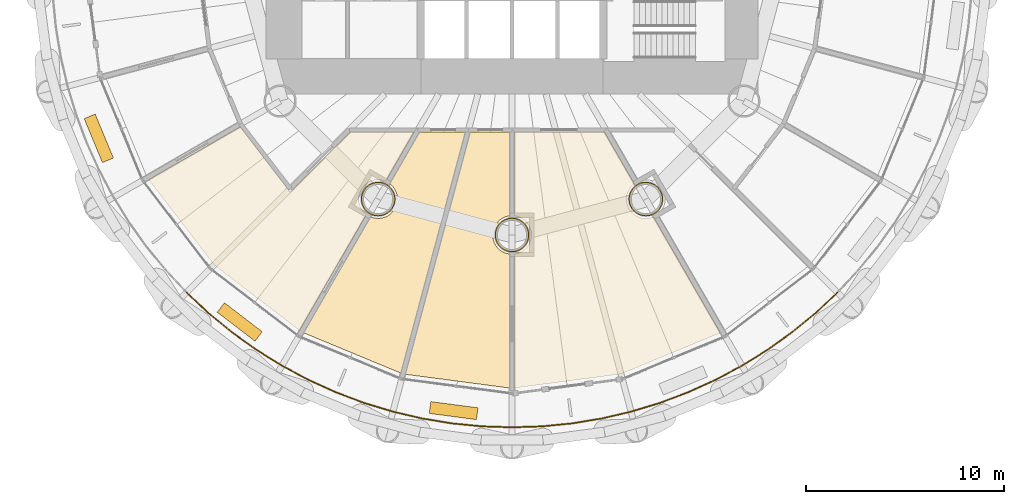
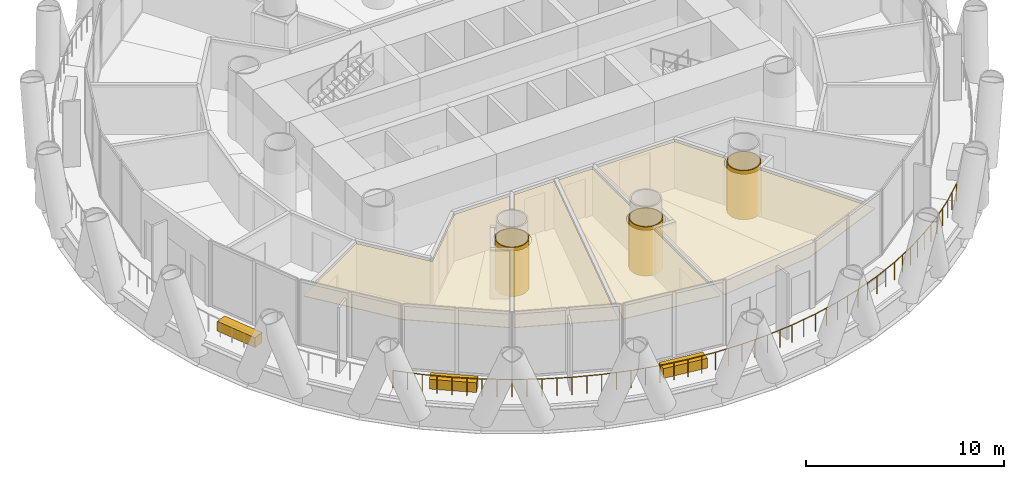
# One storey, part 13 of 16: 10 coverings, 1 railing.
"""IFC4 building model written with IfcOpenShell, lengths in metres."""

from ifc_helpers import new_model, si_unit, direction, frame, origin, origin_2d, place, context, subcontext, project, spatial, polyline, rectangle, circle, outline, extrude, material, layer, layer_set, type_object, element, save


model = new_model("IFC4")

# Units and contexts
model_context = context("Model", 3, precision=1e-05, world=origin(), true_north=direction((0.0, 1.0)))
body_context = subcontext(model_context, "Body", "Model", "MODEL_VIEW")
ifc_project = project(units=[si_unit("LENGTHUNIT", "METRE"), si_unit("AREAUNIT", "SQUARE_METRE"), si_unit("VOLUMEUNIT", "CUBIC_METRE"), si_unit("PLANEANGLEUNIT", "RADIAN"), si_unit("MASSUNIT", "GRAM", prefix="KILO")], contexts=[model_context])

# Site, building, storey
site_placement = place(None, origin())
site = spatial("IfcSite", under=ifc_project, at=site_placement, CompositionType="ELEMENT")
building_placement = place(site_placement, origin())
building = spatial("IfcBuilding", under=site, at=building_placement, Name="Qaws Media Tower", CompositionType="ELEMENT")
storey_placement = place(building_placement, frame((0.0, 0.0, 38.60009765625)))
storey = spatial("IfcBuildingStorey", under=building, at=storey_placement, Name="L07", CompositionType="ELEMENT", Elevation=38.60009765625)

# Coverings
ifc_material_1 = material(Name="40 perforated acoustic panels with mineral wool backing, suspended", Category="mineral fibre")
ifc_layer_1 = layer(ifc_material_1, 0.0400390625)
ifc_layer_set_1 = layer_set([ifc_layer_1], Name="Acoustic panel ceiling 40")
covering_type_1 = type_object("IfcCoveringType", Name="Acoustic panel ceiling 40", PredefinedType="CEILING", material=ifc_layer_set_1)
covering_1_placement = place(storey_placement, frame((0.0, 0.0, 2.849853515625)))
element("IfcCovering", 1, at=covering_1_placement, inside=storey, type_object=covering_type_1, Name="CL3 ceiling L07-07 Radio studio", PredefinedType="CEILING", context=body_context, shape_type="SweptSolid", body=[
    extrude(outline(polyline([(48.816650390625, 38.657470703125), (51.8466796875, 41.6875), (55.07080078125, 41.6875), (53.635498046875, 39.201171875), (53.622314453125, 39.20751953125), (53.501708984375, 39.24853515625), (53.376953125, 39.273193359375), (53.25, 39.28173828125), (53.123046875, 39.273193359375), (52.998291015625, 39.24853515625), (52.877685546875, 39.20751953125), (52.763427734375, 39.1513671875), (52.65771484375, 39.08056640625), (52.56201171875, 38.99658203125), (52.47802734375, 38.90087890625), (52.407470703125, 38.795166015625), (52.35107421875, 38.680908203125), (52.310302734375, 38.560546875), (52.285400390625, 38.435791015625), (52.277099609375, 38.30859375), (52.285400390625, 38.181640625), (52.310302734375, 38.056884765625), (52.35107421875, 37.936279296875), (52.407470703125, 37.822265625), (52.47802734375, 37.71630859375), (52.56201171875, 37.62060546875), (52.65771484375, 37.53662109375), (52.669921875, 37.528564453125), (49.29248046875, 31.6787109375), (44.984375, 34.984375), (41.6787109375, 39.29248046875), (46.28759765625, 41.953125), (48.816650390625, 38.657470703125)])), origin(), (0.0, 0.0, 1.0), 0.0400390625),
])
covering_2_placement = place(storey_placement, frame((0.0, 0.0, 2.849853515625)))
element("IfcCovering", 2, at=covering_2_placement, inside=storey, type_object=covering_type_1, Name="CL3 ceiling L07-08 Control room", PredefinedType="CEILING", context=body_context, shape_type="SweptSolid", body=[
    extrude(outline(polyline([(49.4873046875, 31.56640625), (52.864501953125, 37.416015625), (52.877685546875, 37.40966796875), (52.998291015625, 37.368896484375), (53.123046875, 37.343994140625), (53.25, 37.335693359375), (53.376953125, 37.343994140625), (53.501708984375, 37.368896484375), (53.622314453125, 37.40966796875), (53.736572265625, 37.466064453125), (53.84228515625, 37.53662109375), (53.93798828125, 37.62060546875), (54.02197265625, 37.71630859375), (54.092529296875, 37.822265625), (54.14892578125, 37.936279296875), (54.189697265625, 38.056884765625), (54.214599609375, 38.181640625), (54.222900390625, 38.30859375), (54.214599609375, 38.435791015625), (54.189697265625, 38.560546875), (54.14892578125, 38.680908203125), (54.092529296875, 38.795166015625), (54.02197265625, 38.90087890625), (53.93798828125, 38.99658203125), (53.84228515625, 39.08056640625), (53.830322265625, 39.088623046875), (55.330810546875, 41.6875), (57.65625, 41.6875), (54.399169921875, 29.53173828125), (49.4873046875, 31.56640625)])), origin(), (0.0, 0.0, 1.0), 0.0400390625),
])
covering_3_placement = place(storey_placement, frame((0.0, 0.0, 2.849853515625)))
element("IfcCovering", 3, at=covering_3_placement, inside=storey, type_object=covering_type_1, Name="CL3 ceiling L07-09 Control room", PredefinedType="CEILING", context=body_context, shape_type="SweptSolid", body=[
    extrude(outline(polyline([(54.616455078125, 29.473388671875), (57.88916015625, 41.6875), (59.887451171875, 41.6875), (59.887451171875, 37.465576171875), (59.873046875, 37.464599609375), (59.748291015625, 37.439697265625), (59.627685546875, 37.39892578125), (59.513427734375, 37.342529296875), (59.40771484375, 37.27197265625), (59.31201171875, 37.18798828125), (59.22802734375, 37.09228515625), (59.157470703125, 36.986572265625), (59.10107421875, 36.872314453125), (59.060302734375, 36.751708984375), (59.035400390625, 36.626953125), (59.027099609375, 36.5), (59.035400390625, 36.373046875), (59.060302734375, 36.248291015625), (59.10107421875, 36.127685546875), (59.157470703125, 36.013427734375), (59.22802734375, 35.90771484375), (59.31201171875, 35.81201171875), (59.40771484375, 35.72802734375), (59.513427734375, 35.657470703125), (59.627685546875, 35.60107421875), (59.748291015625, 35.560302734375), (59.873046875, 35.535400390625), (59.887451171875, 35.534423828125), (59.887451171875, 28.779541015625), (54.616455078125, 29.473388671875)])), origin(), (0.0, 0.0, 1.0), 0.0400390625),
])
covering_4_placement = place(storey_placement, frame((0.0, 0.0, 2.849853515625)))
element("IfcCovering", 4, at=covering_4_placement, inside=storey, type_object=covering_type_1, Name="CL3 ceiling L07-10 Radio studio", PredefinedType="CEILING", context=body_context, shape_type="SweptSolid", body=[
    extrude(outline(polyline([(65.49609375, 29.48828125), (60.112548828125, 28.779541015625), (60.112548828125, 35.534423828125), (60.126953125, 35.535400390625), (60.251708984375, 35.560302734375), (60.372314453125, 35.60107421875), (60.486572265625, 35.657470703125), (60.59228515625, 35.72802734375), (60.68798828125, 35.81201171875), (60.77197265625, 35.90771484375), (60.842529296875, 36.013427734375), (60.89892578125, 36.127685546875), (60.939697265625, 36.248291015625), (60.964599609375, 36.373046875), (60.972900390625, 36.5), (60.964599609375, 36.626953125), (60.939697265625, 36.751708984375), (60.89892578125, 36.872314453125), (60.842529296875, 36.986572265625), (60.77197265625, 37.09228515625), (60.68798828125, 37.18798828125), (60.59228515625, 37.27197265625), (60.486572265625, 37.342529296875), (60.372314453125, 37.39892578125), (60.251708984375, 37.439697265625), (60.126953125, 37.464599609375), (60.112548828125, 37.465576171875), (60.112548828125, 41.6875), (64.669189453125, 41.6875), (66.169677734375, 39.088623046875), (66.15771484375, 39.08056640625), (66.06201171875, 38.99658203125), (65.97802734375, 38.90087890625), (65.907470703125, 38.795166015625), (65.85107421875, 38.680908203125), (65.810302734375, 38.560546875), (65.785400390625, 38.435791015625), (65.777099609375, 38.30859375), (65.785400390625, 38.181640625), (65.810302734375, 38.056884765625), (65.85107421875, 37.936279296875), (65.907470703125, 37.822265625), (65.97802734375, 37.71630859375), (66.06201171875, 37.62060546875), (66.15771484375, 37.53662109375), (66.263427734375, 37.466064453125), (66.377685546875, 37.40966796875), (66.498291015625, 37.368896484375), (66.623046875, 37.343994140625), (66.75, 37.335693359375), (66.876953125, 37.343994140625), (67.001708984375, 37.368896484375), (67.122314453125, 37.40966796875), (67.135498046875, 37.416015625), (70.5126953125, 31.56640625), (65.49609375, 29.48828125)])), origin(), (0.0, 0.0, 1.0), 0.0400390625),
])

# Railing
ifc_material_2 = material(Name="Stainless steel and glass guard", Category="steel")
railing_type = type_object("IfcRailingType", Name="Balcony guard 1100", PredefinedType="GUARDRAIL", material=ifc_material_2)
railing_placement = place(storey_placement, frame((43.59521484375, 33.59521484375, 0.0)))
element("IfcRailing", 5, at=railing_placement, inside=storey, type_object=railing_type, Name="GR1 balcony guard L07-3", PredefinedType="GUARDRAIL", context=body_context, shape_type="SweptSolid", body=[
    extrude(circle(Radius=0.02392578125, at=origin_2d()), frame((0.0, 0.0, 1.076171875), z_axis=(0.729807969016, -0.683652198388, 0.0), x_axis=(0.683652198388, 0.729807969016, 0.0)), (0.0, 0.0, 1.0), 1.51806640625),
    extrude(circle(Radius=0.02392578125, at=origin_2d()), frame((1.10791015625, -1.037841796875, 1.076171875), z_axis=(0.773010685803, -0.634393000934, 0.0), x_axis=(0.634393000934, 0.773010685803, 0.0)), (0.0, 0.0, 1.0), 1.518310546875),
    extrude(circle(Radius=0.02392578125, at=origin_2d()), frame((2.281494140625, -2.0009765625, 1.076171875), z_axis=(0.812874227646, -0.582439258661, 0.0), x_axis=(0.582439258661, 0.812874227646, 0.0)), (0.0, 0.0, 1.0), 1.518310546875),
    extrude(circle(Radius=0.02392578125, at=origin_2d()), frame((3.515625, -2.88525390625, 1.076171875), z_axis=(0.849152775167, -0.528147294252, 0.0), x_axis=(0.528147294252, 0.849152775167, 0.0)), (0.0, 0.0, 1.0), 1.51806640625),
    extrude(circle(Radius=0.02392578125, at=origin_2d()), frame((4.8046875, -3.68701171875, 1.076171875), z_axis=(0.881974308934, -0.471297483953, 0.0), x_axis=(0.471297483953, 0.881974308934, 0.0)), (0.0, 0.0, 1.0), 1.518310546875),
    extrude(circle(Radius=0.02392578125, at=origin_2d()), frame((6.143798828125, -4.402587890625, 1.076171875), z_axis=(0.910823016553, -0.41279708395, 0.0), x_axis=(0.41279708395, 0.910823016553, 0.0)), (0.0, 0.0, 1.0), 1.518310546875),
    extrude(circle(Radius=0.02392578125, at=origin_2d()), frame((7.526611328125, -5.029296875, 1.076171875), z_axis=(0.935932055132, -0.352180618684, 0.0), x_axis=(0.352180618684, 0.935932055132, 0.0)), (0.0, 0.0, 1.0), 1.51806640625),
    extrude(circle(Radius=0.02392578125, at=origin_2d()), frame((8.947509765625, -5.56396484375, 1.076171875), z_axis=(0.956936438438, -0.290297524602, 0.0), x_axis=(0.290297524602, 0.956936438438, 0.0)), (0.0, 0.0, 1.0), 1.51806640625),
    extrude(circle(Radius=0.02392578125, at=origin_2d()), frame((10.400146484375, -6.004638671875, 1.076171875), z_axis=(0.973879153952, -0.227066936159, 0.0), x_axis=(0.227066936159, 0.973879153952, 0.0)), (0.0, 0.0, 1.0), 1.51806640625),
    extrude(circle(Radius=0.02392578125, at=origin_2d()), frame((11.878662109375, -6.349365234375, 1.076171875), z_axis=(0.986640555935, -0.162912287394, 0.0), x_axis=(0.162912287394, 0.986640555935, 0.0)), (0.0, 0.0, 1.0), 1.51806640625),
    extrude(circle(Radius=0.02392578125, at=origin_2d()), frame((13.37646484375, -6.5966796875, 1.076171875), z_axis=(0.995177874507, -0.098086686613, 0.0), x_axis=(0.098086686613, 0.995177874507, 0.0)), (0.0, 0.0, 1.0), 1.518310546875),
    extrude(circle(Radius=0.02392578125, at=origin_2d()), frame((14.887451171875, -6.74560546875, 1.076171875), z_axis=(0.999466993527, -0.032645502765, 0.0), x_axis=(0.032645502765, 0.999466993527, 0.0)), (0.0, 0.0, 1.0), 1.51806640625),
    extrude(circle(Radius=0.02392578125, at=origin_2d()), frame((16.40478515625, -6.795166015625, 1.076171875), z_axis=(0.999466993527, 0.032645502765, 0.0), x_axis=(-0.032645502765, 0.999466993527, 0.0)), (0.0, 0.0, 1.0), 1.51806640625),
    extrude(circle(Radius=0.02392578125, at=origin_2d()), frame((17.922119140625, -6.74560546875, 1.076171875), z_axis=(0.995177874507, 0.098086686613, 0.0), x_axis=(-0.098086686613, 0.995177874507, 0.0)), (0.0, 0.0, 1.0), 1.518310546875),
    extrude(circle(Radius=0.02392578125, at=origin_2d()), frame((19.43310546875, -6.5966796875, 1.076171875), z_axis=(0.986640555935, 0.162912287394, 0.0), x_axis=(-0.162912287394, 0.986640555935, 0.0)), (0.0, 0.0, 1.0), 1.51806640625),
    extrude(circle(Radius=0.02392578125, at=origin_2d()), frame((20.930908203125, -6.349365234375, 1.076171875), z_axis=(0.973879153952, 0.227066936159, 0.0), x_axis=(-0.227066936159, 0.973879153952, 0.0)), (0.0, 0.0, 1.0), 1.51806640625),
    extrude(circle(Radius=0.02392578125, at=origin_2d()), frame((22.409423828125, -6.004638671875, 1.076171875), z_axis=(0.956936438438, 0.290297524602, 0.0), x_axis=(-0.290297524602, 0.956936438438, 0.0)), (0.0, 0.0, 1.0), 1.51806640625),
    extrude(circle(Radius=0.02392578125, at=origin_2d()), frame((23.862060546875, -5.56396484375, 1.076171875), z_axis=(0.935932055132, 0.352180618684, 0.0), x_axis=(-0.352180618684, 0.935932055132, 0.0)), (0.0, 0.0, 1.0), 1.51806640625),
    extrude(circle(Radius=0.02392578125, at=origin_2d()), frame((25.282958984375, -5.029296875, 1.076171875), z_axis=(0.910823016553, 0.41279708395, 0.0), x_axis=(-0.41279708395, 0.910823016553, 0.0)), (0.0, 0.0, 1.0), 1.518310546875),
    extrude(circle(Radius=0.02392578125, at=origin_2d()), frame((26.665771484375, -4.402587890625, 1.076171875), z_axis=(0.881974308934, 0.471297483953, 0.0), x_axis=(-0.471297483953, 0.881974308934, 0.0)), (0.0, 0.0, 1.0), 1.518310546875),
    extrude(circle(Radius=0.02392578125, at=origin_2d()), frame((28.0048828125, -3.68701171875, 1.076171875), z_axis=(0.849152775167, 0.528147294252, 0.0), x_axis=(-0.528147294252, 0.849152775167, 0.0)), (0.0, 0.0, 1.0), 1.51806640625),
    extrude(circle(Radius=0.02392578125, at=origin_2d()), frame((29.2939453125, -2.88525390625, 1.076171875), z_axis=(0.812874227646, 0.582439258661, 0.0), x_axis=(-0.582439258661, 0.812874227646, 0.0)), (0.0, 0.0, 1.0), 1.518310546875),
    extrude(circle(Radius=0.02392578125, at=origin_2d()), frame((30.528076171875, -2.0009765625, 1.076171875), z_axis=(0.773010685803, 0.634393000934, 0.0), x_axis=(-0.634393000934, 0.773010685803, 0.0)), (0.0, 0.0, 1.0), 1.518310546875),
    extrude(circle(Radius=0.02392578125, at=origin_2d()), frame((31.70166015625, -1.037841796875, 1.076171875), z_axis=(0.729807969016, 0.683652198388, 0.0), x_axis=(-0.683652198388, 0.729807969016, 0.0)), (0.0, 0.0, 1.0), 1.51806640625),
    extrude(circle(Radius=0.02099609375, at=origin_2d()), origin(), (0.0, 0.0, 1.0), 1.052001953125),
    extrude(circle(Radius=0.02099609375, at=origin_2d()), frame((0.553955078125, -0.51904296875, 0.0)), (0.0, 0.0, 1.0), 1.052001953125),
    extrude(circle(Radius=0.02099609375, at=origin_2d()), frame((1.10791015625, -1.037841796875, 0.0)), (0.0, 0.0, 1.0), 1.052001953125),
    extrude(circle(Radius=0.02099609375, at=origin_2d()), frame((1.69482421875, -1.51953125, 0.0)), (0.0, 0.0, 1.0), 1.052001953125),
    extrude(circle(Radius=0.02099609375, at=origin_2d()), frame((2.281494140625, -2.0009765625, 0.0)), (0.0, 0.0, 1.0), 1.052001953125),
    extrude(circle(Radius=0.02099609375, at=origin_2d()), frame((2.8984375, -2.443115234375, 0.0)), (0.0, 0.0, 1.0), 1.052001953125),
    extrude(circle(Radius=0.02099609375, at=origin_2d()), frame((3.515625, -2.88525390625, 0.0)), (0.0, 0.0, 1.0), 1.052001953125),
    extrude(circle(Radius=0.02099609375, at=origin_2d()), frame((4.16015625, -3.2861328125, 0.0)), (0.0, 0.0, 1.0), 1.052001953125),
    extrude(circle(Radius=0.02099609375, at=origin_2d()), frame((4.8046875, -3.68701171875, 0.0)), (0.0, 0.0, 1.0), 1.052001953125),
    extrude(circle(Radius=0.02099609375, at=origin_2d()), frame((5.47412109375, -4.044921875, 0.0)), (0.0, 0.0, 1.0), 1.052001953125),
    extrude(circle(Radius=0.02099609375, at=origin_2d()), frame((6.143798828125, -4.402587890625, 0.0)), (0.0, 0.0, 1.0), 1.052001953125),
    extrude(circle(Radius=0.02099609375, at=origin_2d()), frame((6.835205078125, -4.7158203125, 0.0)), (0.0, 0.0, 1.0), 1.052001953125),
    extrude(circle(Radius=0.02099609375, at=origin_2d()), frame((7.526611328125, -5.029296875, 0.0)), (0.0, 0.0, 1.0), 1.052001953125),
    extrude(circle(Radius=0.02099609375, at=origin_2d()), frame((8.237060546875, -5.296630859375, 0.0)), (0.0, 0.0, 1.0), 1.052001953125),
    extrude(circle(Radius=0.02099609375, at=origin_2d()), frame((8.947509765625, -5.56396484375, 0.0)), (0.0, 0.0, 1.0), 1.052001953125),
    extrude(circle(Radius=0.02099609375, at=origin_2d()), frame((9.673828125, -5.7841796875, 0.0)), (0.0, 0.0, 1.0), 1.052001953125),
    extrude(circle(Radius=0.02099609375, at=origin_2d()), frame((10.400146484375, -6.004638671875, 0.0)), (0.0, 0.0, 1.0), 1.052001953125),
    extrude(circle(Radius=0.02099609375, at=origin_2d()), frame((11.139404296875, -6.177001953125, 0.0)), (0.0, 0.0, 1.0), 1.052001953125),
    extrude(circle(Radius=0.02099609375, at=origin_2d()), frame((11.878662109375, -6.349365234375, 0.0)), (0.0, 0.0, 1.0), 1.052001953125),
    extrude(circle(Radius=0.02099609375, at=origin_2d()), frame((12.62744140625, -6.47314453125, 0.0)), (0.0, 0.0, 1.0), 1.052001953125),
    extrude(circle(Radius=0.02099609375, at=origin_2d()), frame((13.37646484375, -6.5966796875, 0.0)), (0.0, 0.0, 1.0), 1.052001953125),
    extrude(circle(Radius=0.02099609375, at=origin_2d()), frame((14.1318359375, -6.671142578125, 0.0)), (0.0, 0.0, 1.0), 1.052001953125),
    extrude(circle(Radius=0.02099609375, at=origin_2d()), frame((14.887451171875, -6.74560546875, 0.0)), (0.0, 0.0, 1.0), 1.052001953125),
    extrude(circle(Radius=0.02099609375, at=origin_2d()), frame((15.64599609375, -6.7705078125, 0.0)), (0.0, 0.0, 1.0), 1.052001953125),
    extrude(circle(Radius=0.02099609375, at=origin_2d()), frame((16.40478515625, -6.795166015625, 0.0)), (0.0, 0.0, 1.0), 1.052001953125),
    extrude(circle(Radius=0.02099609375, at=origin_2d()), frame((17.16357421875, -6.7705078125, 0.0)), (0.0, 0.0, 1.0), 1.052001953125),
    extrude(circle(Radius=0.02099609375, at=origin_2d()), frame((17.922119140625, -6.74560546875, 0.0)), (0.0, 0.0, 1.0), 1.052001953125),
    extrude(circle(Radius=0.02099609375, at=origin_2d()), frame((18.677734375, -6.671142578125, 0.0)), (0.0, 0.0, 1.0), 1.052001953125),
    extrude(circle(Radius=0.02099609375, at=origin_2d()), frame((19.43310546875, -6.5966796875, 0.0)), (0.0, 0.0, 1.0), 1.052001953125),
    extrude(circle(Radius=0.02099609375, at=origin_2d()), frame((20.18212890625, -6.47314453125, 0.0)), (0.0, 0.0, 1.0), 1.052001953125),
    extrude(circle(Radius=0.02099609375, at=origin_2d()), frame((20.930908203125, -6.349365234375, 0.0)), (0.0, 0.0, 1.0), 1.052001953125),
    extrude(circle(Radius=0.02099609375, at=origin_2d()), frame((21.670166015625, -6.177001953125, 0.0)), (0.0, 0.0, 1.0), 1.052001953125),
    extrude(circle(Radius=0.02099609375, at=origin_2d()), frame((22.409423828125, -6.004638671875, 0.0)), (0.0, 0.0, 1.0), 1.052001953125),
    extrude(circle(Radius=0.02099609375, at=origin_2d()), frame((23.1357421875, -5.7841796875, 0.0)), (0.0, 0.0, 1.0), 1.052001953125),
    extrude(circle(Radius=0.02099609375, at=origin_2d()), frame((23.862060546875, -5.56396484375, 0.0)), (0.0, 0.0, 1.0), 1.052001953125),
    extrude(circle(Radius=0.02099609375, at=origin_2d()), frame((24.572509765625, -5.296630859375, 0.0)), (0.0, 0.0, 1.0), 1.052001953125),
    extrude(circle(Radius=0.02099609375, at=origin_2d()), frame((25.282958984375, -5.029296875, 0.0)), (0.0, 0.0, 1.0), 1.052001953125),
    extrude(circle(Radius=0.02099609375, at=origin_2d()), frame((25.974365234375, -4.7158203125, 0.0)), (0.0, 0.0, 1.0), 1.052001953125),
    extrude(circle(Radius=0.02099609375, at=origin_2d()), frame((26.665771484375, -4.402587890625, 0.0)), (0.0, 0.0, 1.0), 1.052001953125),
    extrude(circle(Radius=0.02099609375, at=origin_2d()), frame((27.33544921875, -4.044921875, 0.0)), (0.0, 0.0, 1.0), 1.052001953125),
    extrude(circle(Radius=0.02099609375, at=origin_2d()), frame((28.0048828125, -3.68701171875, 0.0)), (0.0, 0.0, 1.0), 1.052001953125),
    extrude(circle(Radius=0.02099609375, at=origin_2d()), frame((28.6494140625, -3.2861328125, 0.0)), (0.0, 0.0, 1.0), 1.052001953125),
    extrude(circle(Radius=0.02099609375, at=origin_2d()), frame((29.2939453125, -2.88525390625, 0.0)), (0.0, 0.0, 1.0), 1.052001953125),
    extrude(circle(Radius=0.02099609375, at=origin_2d()), frame((29.9111328125, -2.443115234375, 0.0)), (0.0, 0.0, 1.0), 1.052001953125),
    extrude(circle(Radius=0.02099609375, at=origin_2d()), frame((30.528076171875, -2.0009765625, 0.0)), (0.0, 0.0, 1.0), 1.052001953125),
    extrude(circle(Radius=0.02099609375, at=origin_2d()), frame((31.11474609375, -1.51953125, 0.0)), (0.0, 0.0, 1.0), 1.052001953125),
    extrude(circle(Radius=0.02099609375, at=origin_2d()), frame((31.70166015625, -1.037841796875, 0.0)), (0.0, 0.0, 1.0), 1.052001953125),
    extrude(circle(Radius=0.02099609375, at=origin_2d()), frame((32.255615234375, -0.51904296875, 0.0)), (0.0, 0.0, 1.0), 1.052001953125),
    extrude(circle(Radius=0.02099609375, at=origin_2d()), frame((32.8095703125, 0.0, 0.0)), (0.0, 0.0, 1.0), 1.052001953125),
])

# Coverings
ifc_material_3 = material(Name="Two layers 15 fire-rated gypsum board on steel framing", Category="steel")
ifc_layer_2 = layer(ifc_material_3, 0.050048828125)
ifc_layer_set_2 = layer_set([ifc_layer_2], Name="Column fire casing")
covering_type_2 = type_object("IfcCoveringType", Name="Column fire casing", PredefinedType="CLADDING", material=ifc_layer_set_2)
covering_5_placement = place(storey_placement, origin())
element("IfcCovering", 6, at=covering_5_placement, inside=storey, type_object=covering_type_2, Name="CC1 column casing L07", PredefinedType="CLADDING", context=body_context, shape_type="SweptSolid", body=[
    extrude(outline(polyline([(54.117919921875, 38.30859375), (54.110595703125, 38.1953125), (54.08837890625, 38.083984375), (54.052001953125, 37.9765625), (54.001708984375, 37.874755859375), (53.938720703125, 37.7802734375), (53.86376953125, 37.69482421875), (53.7783203125, 37.6201171875), (53.68408203125, 37.556884765625), (53.582275390625, 37.506591796875), (53.474609375, 37.47021484375), (53.36328125, 37.447998046875), (53.25, 37.440673828125), (53.13671875, 37.447998046875), (53.025390625, 37.47021484375), (52.917724609375, 37.506591796875), (52.81591796875, 37.556884765625), (52.7216796875, 37.6201171875), (52.63623046875, 37.69482421875), (52.561279296875, 37.7802734375), (52.498291015625, 37.874755859375), (52.447998046875, 37.9765625), (52.41162109375, 38.083984375), (52.389404296875, 38.1953125), (52.382080078125, 38.30859375), (52.389404296875, 38.422119140625), (52.41162109375, 38.533203125), (52.447998046875, 38.640869140625), (52.498291015625, 38.74267578125), (52.561279296875, 38.837158203125), (52.63623046875, 38.92236328125), (52.7216796875, 38.997314453125), (52.81591796875, 39.060302734375), (52.917724609375, 39.110595703125), (53.025390625, 39.147216796875), (53.13671875, 39.169189453125), (53.25, 39.1767578125), (53.36328125, 39.169189453125), (53.474609375, 39.147216796875), (53.582275390625, 39.110595703125), (53.68408203125, 39.060302734375), (53.7783203125, 38.997314453125), (53.86376953125, 38.92236328125), (53.938720703125, 38.837158203125), (54.001708984375, 38.74267578125), (54.052001953125, 38.640869140625), (54.08837890625, 38.533203125), (54.110595703125, 38.422119140625), (54.117919921875, 38.30859375)]), holes=[polyline([(54.06591796875, 38.30859375), (54.05908203125, 38.2021484375), (54.0380859375, 38.097412109375), (54.00390625, 37.996337890625), (53.956787109375, 37.900634765625), (53.8974609375, 37.81201171875), (53.826904296875, 37.731689453125), (53.74658203125, 37.661376953125), (53.657958984375, 37.60205078125), (53.562255859375, 37.5546875), (53.461181640625, 37.5205078125), (53.3564453125, 37.49951171875), (53.25, 37.49267578125), (53.1435546875, 37.49951171875), (53.038818359375, 37.5205078125), (52.937744140625, 37.5546875), (52.842041015625, 37.60205078125), (52.75341796875, 37.661376953125), (52.673095703125, 37.731689453125), (52.6025390625, 37.81201171875), (52.543212890625, 37.900634765625), (52.49609375, 37.996337890625), (52.4619140625, 38.097412109375), (52.44091796875, 38.2021484375), (52.43408203125, 38.30859375), (52.44091796875, 38.415283203125), (52.4619140625, 38.52001953125), (52.49609375, 38.620849609375), (52.543212890625, 38.716796875), (52.6025390625, 38.805419921875), (52.673095703125, 38.8857421875), (52.75341796875, 38.9560546875), (52.842041015625, 39.015380859375), (52.937744140625, 39.0625), (53.038818359375, 39.096923828125), (53.1435546875, 39.11767578125), (53.25, 39.124755859375), (53.3564453125, 39.11767578125), (53.461181640625, 39.096923828125), (53.562255859375, 39.0625), (53.657958984375, 39.015380859375), (53.74658203125, 38.9560546875), (53.826904296875, 38.8857421875), (53.8974609375, 38.805419921875), (53.956787109375, 38.716796875), (54.00390625, 38.620849609375), (54.0380859375, 38.52001953125), (54.05908203125, 38.415283203125), (54.06591796875, 38.30859375)])]), origin(), (0.0, 0.0, 1.0), 3.02001953125),
])
covering_6_placement = place(storey_placement, origin())
element("IfcCovering", 7, at=covering_6_placement, inside=storey, type_object=covering_type_2, Name="CC1 column casing L07", PredefinedType="CLADDING", context=body_context, shape_type="SweptSolid", body=[
    extrude(outline(polyline([(60.867919921875, 36.5), (60.860595703125, 36.38671875), (60.83837890625, 36.275390625), (60.802001953125, 36.167724609375), (60.751708984375, 36.06591796875), (60.688720703125, 35.9716796875), (60.61376953125, 35.88623046875), (60.5283203125, 35.811279296875), (60.43408203125, 35.748291015625), (60.332275390625, 35.697998046875), (60.224609375, 35.66162109375), (60.11328125, 35.639404296875), (60.0, 35.632080078125), (59.88671875, 35.639404296875), (59.775390625, 35.66162109375), (59.667724609375, 35.697998046875), (59.56591796875, 35.748291015625), (59.4716796875, 35.811279296875), (59.38623046875, 35.88623046875), (59.311279296875, 35.9716796875), (59.248291015625, 36.06591796875), (59.197998046875, 36.167724609375), (59.16162109375, 36.275390625), (59.139404296875, 36.38671875), (59.132080078125, 36.5), (59.139404296875, 36.61328125), (59.16162109375, 36.724609375), (59.197998046875, 36.832275390625), (59.248291015625, 36.93408203125), (59.311279296875, 37.0283203125), (59.38623046875, 37.11376953125), (59.4716796875, 37.188720703125), (59.56591796875, 37.251708984375), (59.667724609375, 37.302001953125), (59.775390625, 37.33837890625), (59.88671875, 37.360595703125), (60.0, 37.367919921875), (60.11328125, 37.360595703125), (60.224609375, 37.33837890625), (60.332275390625, 37.302001953125), (60.43408203125, 37.251708984375), (60.5283203125, 37.188720703125), (60.61376953125, 37.11376953125), (60.688720703125, 37.0283203125), (60.751708984375, 36.93408203125), (60.802001953125, 36.832275390625), (60.83837890625, 36.724609375), (60.860595703125, 36.61328125), (60.867919921875, 36.5)]), holes=[polyline([(60.81591796875, 36.5), (60.80908203125, 36.3935546875), (60.7880859375, 36.288818359375), (60.75390625, 36.187744140625), (60.706787109375, 36.092041015625), (60.6474609375, 36.00341796875), (60.576904296875, 35.923095703125), (60.49658203125, 35.8525390625), (60.407958984375, 35.793212890625), (60.312255859375, 35.74609375), (60.211181640625, 35.7119140625), (60.1064453125, 35.69091796875), (60.0, 35.68408203125), (59.8935546875, 35.69091796875), (59.788818359375, 35.7119140625), (59.687744140625, 35.74609375), (59.592041015625, 35.793212890625), (59.50341796875, 35.8525390625), (59.423095703125, 35.923095703125), (59.3525390625, 36.00341796875), (59.293212890625, 36.092041015625), (59.24609375, 36.187744140625), (59.2119140625, 36.288818359375), (59.19091796875, 36.3935546875), (59.18408203125, 36.5), (59.19091796875, 36.6064453125), (59.2119140625, 36.711181640625), (59.24609375, 36.812255859375), (59.293212890625, 36.907958984375), (59.3525390625, 36.99658203125), (59.423095703125, 37.076904296875), (59.50341796875, 37.1474609375), (59.592041015625, 37.206787109375), (59.687744140625, 37.25390625), (59.788818359375, 37.2880859375), (59.8935546875, 37.30908203125), (60.0, 37.31591796875), (60.1064453125, 37.30908203125), (60.211181640625, 37.2880859375), (60.312255859375, 37.25390625), (60.407958984375, 37.206787109375), (60.49658203125, 37.1474609375), (60.576904296875, 37.076904296875), (60.6474609375, 36.99658203125), (60.706787109375, 36.907958984375), (60.75390625, 36.812255859375), (60.7880859375, 36.711181640625), (60.80908203125, 36.6064453125), (60.81591796875, 36.5)])]), origin(), (0.0, 0.0, 1.0), 3.02001953125),
])
covering_7_placement = place(storey_placement, origin())
element("IfcCovering", 8, at=covering_7_placement, inside=storey, type_object=covering_type_2, Name="CC1 column casing L07", PredefinedType="CLADDING", context=body_context, shape_type="SweptSolid", body=[
    extrude(outline(polyline([(67.617919921875, 38.30859375), (67.610595703125, 38.1953125), (67.58837890625, 38.083984375), (67.552001953125, 37.9765625), (67.501708984375, 37.874755859375), (67.438720703125, 37.7802734375), (67.36376953125, 37.69482421875), (67.2783203125, 37.6201171875), (67.18408203125, 37.556884765625), (67.082275390625, 37.506591796875), (66.974609375, 37.47021484375), (66.86328125, 37.447998046875), (66.75, 37.440673828125), (66.63671875, 37.447998046875), (66.525390625, 37.47021484375), (66.417724609375, 37.506591796875), (66.31591796875, 37.556884765625), (66.2216796875, 37.6201171875), (66.13623046875, 37.69482421875), (66.061279296875, 37.7802734375), (65.998291015625, 37.874755859375), (65.947998046875, 37.9765625), (65.91162109375, 38.083984375), (65.889404296875, 38.1953125), (65.882080078125, 38.30859375), (65.889404296875, 38.422119140625), (65.91162109375, 38.533203125), (65.947998046875, 38.640869140625), (65.998291015625, 38.74267578125), (66.061279296875, 38.837158203125), (66.13623046875, 38.92236328125), (66.2216796875, 38.997314453125), (66.31591796875, 39.060302734375), (66.417724609375, 39.110595703125), (66.525390625, 39.147216796875), (66.63671875, 39.169189453125), (66.75, 39.1767578125), (66.86328125, 39.169189453125), (66.974609375, 39.147216796875), (67.082275390625, 39.110595703125), (67.18408203125, 39.060302734375), (67.2783203125, 38.997314453125), (67.36376953125, 38.92236328125), (67.438720703125, 38.837158203125), (67.501708984375, 38.74267578125), (67.552001953125, 38.640869140625), (67.58837890625, 38.533203125), (67.610595703125, 38.422119140625), (67.617919921875, 38.30859375)]), holes=[polyline([(67.56591796875, 38.30859375), (67.55908203125, 38.2021484375), (67.5380859375, 38.097412109375), (67.50390625, 37.996337890625), (67.456787109375, 37.900634765625), (67.3974609375, 37.81201171875), (67.326904296875, 37.731689453125), (67.24658203125, 37.661376953125), (67.157958984375, 37.60205078125), (67.062255859375, 37.5546875), (66.961181640625, 37.5205078125), (66.8564453125, 37.49951171875), (66.75, 37.49267578125), (66.6435546875, 37.49951171875), (66.538818359375, 37.5205078125), (66.437744140625, 37.5546875), (66.342041015625, 37.60205078125), (66.25341796875, 37.661376953125), (66.173095703125, 37.731689453125), (66.1025390625, 37.81201171875), (66.043212890625, 37.900634765625), (65.99609375, 37.996337890625), (65.9619140625, 38.097412109375), (65.94091796875, 38.2021484375), (65.93408203125, 38.30859375), (65.94091796875, 38.415283203125), (65.9619140625, 38.52001953125), (65.99609375, 38.620849609375), (66.043212890625, 38.716796875), (66.1025390625, 38.805419921875), (66.173095703125, 38.8857421875), (66.25341796875, 38.9560546875), (66.342041015625, 39.015380859375), (66.437744140625, 39.0625), (66.538818359375, 39.096923828125), (66.6435546875, 39.11767578125), (66.75, 39.124755859375), (66.8564453125, 39.11767578125), (66.961181640625, 39.096923828125), (67.062255859375, 39.0625), (67.157958984375, 39.015380859375), (67.24658203125, 38.9560546875), (67.326904296875, 38.8857421875), (67.3974609375, 38.805419921875), (67.456787109375, 38.716796875), (67.50390625, 38.620849609375), (67.5380859375, 38.52001953125), (67.55908203125, 38.415283203125), (67.56591796875, 38.30859375)])]), origin(), (0.0, 0.0, 1.0), 3.02001953125),
])
ifc_material_4 = material(Name="Precast concrete planter with trailing planting", Category="concrete")
ifc_layer_3 = layer(ifc_material_4, 0.60009765625)
ifc_layer_set_3 = layer_set([ifc_layer_3], Name="Planter 2400x600")
covering_type_3 = type_object("IfcCoveringType", Name="Planter 2400x600", PredefinedType="USERDEFINED", material=ifc_layer_set_3)
for number, where, z_axis, x_axis, name in (
    (9, (39.16650390625, 41.37060546875, -0.000244140625), (0.0, 0.0, 1.0), (0.382683432365, -0.923879532511, 0.0), "PL1 balcony planter L07-07"),
    (10, (46.2724609375, 32.10986328125, -0.000244140625), (0.0, 0.0, 1.0), (0.793353340291, -0.608761429009, 0.0), "PL1 balcony planter L07-08"),
    (11, (57.056640625, 27.642822265625, -0.000244140625), (0.0, 0.0, 1.0), (0.991444861374, -0.13052619222, 0.0), "PL1 balcony planter L07-09"),
):
    element("IfcCovering", number, at=place(storey_placement, frame(where, z_axis=z_axis, x_axis=x_axis)), inside=storey, type_object=covering_type_3, Name=name, ObjectType="PLANTER", PredefinedType="USERDEFINED", context=body_context, shape_type="SweptSolid", body=[
        extrude(rectangle(XDim=2.39990234375, YDim=0.60009765625, at=origin_2d()), origin(), (0.0, 0.0, 1.0), 0.60009765625),
    ])

save(model, "model.ifc")
